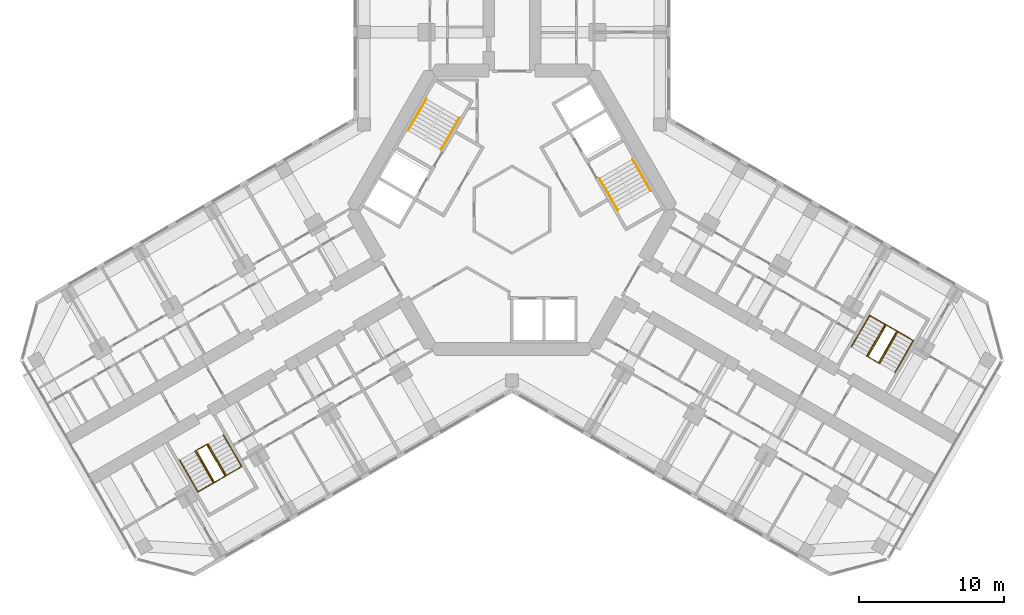
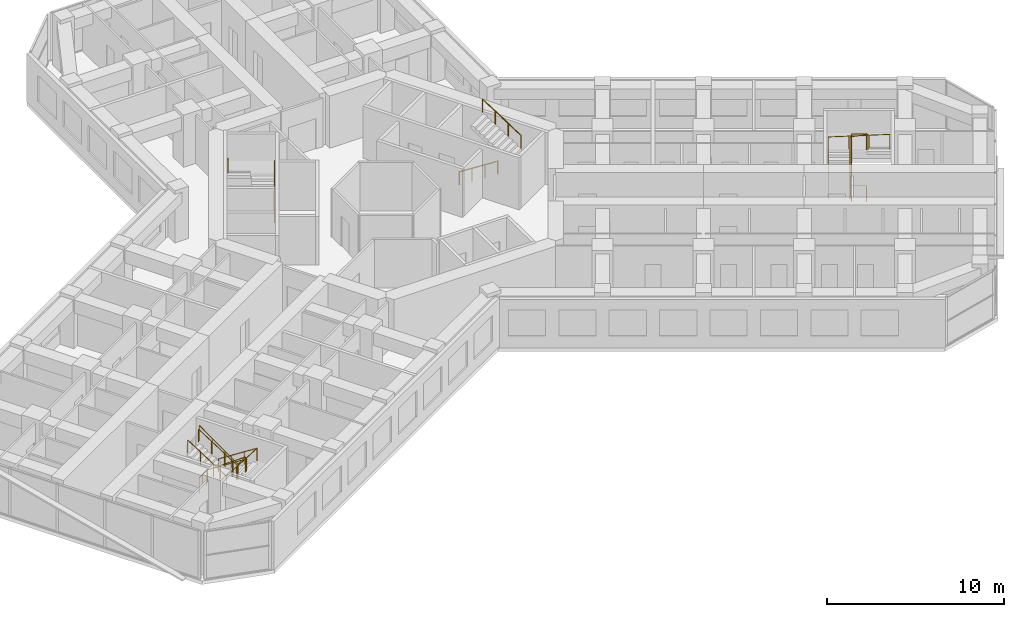
# One storey, part 19 of 19: 10 railings.
"""IFC4 building model written with IfcOpenShell, lengths in metres."""

from ifc_helpers import new_model, si_unit, direction, frame, origin, origin_2d, place, context, subcontext, project, spatial, circle, extrude, material, type_object, element, save


model = new_model("IFC4")

# Units and contexts
model_context = context("Model", 3, precision=1e-05, world=origin(), true_north=direction((0.0, 1.0)))
body_context = subcontext(model_context, "Body", "Model", "MODEL_VIEW")
ifc_project = project(units=[si_unit("LENGTHUNIT", "METRE"), si_unit("AREAUNIT", "SQUARE_METRE"), si_unit("VOLUMEUNIT", "CUBIC_METRE"), si_unit("PLANEANGLEUNIT", "RADIAN"), si_unit("MASSUNIT", "GRAM", prefix="KILO")], contexts=[model_context])

# Site, building, storey
site_placement = place(None, origin())
site = spatial("IfcSite", under=ifc_project, at=site_placement, CompositionType="ELEMENT")
building_placement = place(site_placement, origin())
building = spatial("IfcBuilding", under=site, at=building_placement, Name="Kosmar Iwan School Tower", CompositionType="ELEMENT")
storey_placement = place(building_placement, frame((0.0, 0.0, 134.60009765625)))
storey = spatial("IfcBuildingStorey", under=building, at=storey_placement, Name="L33", CompositionType="ELEMENT", Elevation=134.60009765625)

# Railings
ifc_material_1 = material(Name="Black steel", Category="steel")
railing_type_1 = type_object("IfcRailingType", Name="Stair handrail 900", PredefinedType="HANDRAIL", material=ifc_material_1)
railing_1_placement = place(storey_placement, frame((-4.89453125, 4.142333984375, 0.179931640625)))
element("IfcRailing", 1, at=railing_1_placement, inside=storey, type_object=railing_type_1, Name="Handrail ST2 flight 1", PredefinedType="HANDRAIL", context=body_context, shape_type="SweptSolid", body=[
    extrude(circle(Radius=0.02392578125, at=origin_2d()), frame((0.0, 0.0, 0.8759765625), z_axis=(0.42060268101, 0.72849590497, 0.54072830624), x_axis=(-0.866022637375, 0.500004791531, 0.0)), (0.0, 0.0, 1.0), 2.99560546875),
    extrude(circle(Radius=0.02099609375, at=origin_2d()), origin(), (0.0, 0.0, 1.0), 0.851806640625),
    extrude(circle(Radius=0.02099609375, at=origin_2d()), frame((0.419921875, 0.7275390625, 0.5400390625)), (0.0, 0.0, 1.0), 0.851806640625),
    extrude(circle(Radius=0.02099609375, at=origin_2d()), frame((0.840087890625, 1.454833984375, 1.079833984375)), (0.0, 0.0, 1.0), 0.851806640625),
    extrude(circle(Radius=0.02099609375, at=origin_2d()), frame((1.260009765625, 2.182373046875, 1.619873046875)), (0.0, 0.0, 1.0), 0.851806640625),
])
railing_2_placement = place(storey_placement, frame((-5.912353515625, 7.6396484375, 1.97998046875)))
element("IfcRailing", 2, at=railing_2_placement, inside=storey, type_object=railing_type_1, Name="Handrail ST2 flight 2", PredefinedType="HANDRAIL", context=body_context, shape_type="SweptSolid", body=[
    extrude(circle(Radius=0.02392578125, at=origin_2d()), frame((0.0, 0.0, 0.8759765625), z_axis=(-0.42060268101, -0.72849590497, 0.54072830624), x_axis=(0.866022637375, -0.500004791531, 0.0)), (0.0, 0.0, 1.0), 2.99560546875),
    extrude(circle(Radius=0.02099609375, at=origin_2d()), origin(), (0.0, 0.0, 1.0), 0.851806640625),
    extrude(circle(Radius=0.02099609375, at=origin_2d()), frame((-0.419921875, -0.7275390625, 0.5400390625)), (0.0, 0.0, 1.0), 0.851806640625),
    extrude(circle(Radius=0.02099609375, at=origin_2d()), frame((-0.840087890625, -1.454833984375, 1.079833984375)), (0.0, 0.0, 1.0), 0.851806640625),
    extrude(circle(Radius=0.02099609375, at=origin_2d()), frame((-1.260009765625, -2.182373046875, 1.619873046875)), (0.0, 0.0, 1.0), 0.851806640625),
])
railing_3_placement = place(storey_placement, frame((6.03466796875, 2.167724609375, 0.179931640625)))
element("IfcRailing", 3, at=railing_3_placement, inside=storey, type_object=railing_type_1, Name="Handrail ST1 flight 1", PredefinedType="HANDRAIL", context=body_context, shape_type="SweptSolid", body=[
    extrude(circle(Radius=0.02392578125, at=origin_2d()), frame((0.0, 0.0, 0.8759765625), z_axis=(0.42060268101, -0.72849590497, 0.54072830624), x_axis=(0.866022637375, 0.500004791531, 0.0)), (0.0, 0.0, 1.0), 2.99560546875),
    extrude(circle(Radius=0.02099609375, at=origin_2d()), origin(), (0.0, 0.0, 1.0), 0.851806640625),
    extrude(circle(Radius=0.02099609375, at=origin_2d()), frame((0.419921875, -0.7275390625, 0.5400390625)), (0.0, 0.0, 1.0), 0.851806640625),
    extrude(circle(Radius=0.02099609375, at=origin_2d()), frame((0.840087890625, -1.454833984375, 1.079833984375)), (0.0, 0.0, 1.0), 0.851806640625),
    extrude(circle(Radius=0.02099609375, at=origin_2d()), frame((1.260009765625, -2.182373046875, 1.619873046875)), (0.0, 0.0, 1.0), 0.851806640625),
])
railing_4_placement = place(storey_placement, frame((9.572265625, 1.30029296875, 1.97998046875)))
element("IfcRailing", 4, at=railing_4_placement, inside=storey, type_object=railing_type_1, Name="Handrail ST1 flight 2", PredefinedType="HANDRAIL", context=body_context, shape_type="SweptSolid", body=[
    extrude(circle(Radius=0.02392578125, at=origin_2d()), frame((0.0, 0.0, 0.8759765625), z_axis=(-0.42060268101, 0.72849590497, 0.54072830624), x_axis=(-0.866022637375, -0.500004791531, 0.0)), (0.0, 0.0, 1.0), 2.99560546875),
    extrude(circle(Radius=0.02099609375, at=origin_2d()), origin(), (0.0, 0.0, 1.0), 0.851806640625),
    extrude(circle(Radius=0.02099609375, at=origin_2d()), frame((-0.419921875, 0.7275390625, 0.5400390625)), (0.0, 0.0, 1.0), 0.851806640625),
    extrude(circle(Radius=0.02099609375, at=origin_2d()), frame((-0.840087890625, 1.454833984375, 1.079833984375)), (0.0, 0.0, 1.0), 0.851806640625),
    extrude(circle(Radius=0.02099609375, at=origin_2d()), frame((-1.260009765625, 2.182373046875, 1.619873046875)), (0.0, 0.0, 1.0), 0.851806640625),
])
railing_5_placement = place(storey_placement, frame((-19.9091796875, -15.5361328125, 0.179931640625)))
element("IfcRailing", 5, at=railing_5_placement, inside=storey, type_object=railing_type_1, Name="Handrail stair WS2 L33 wall side", PredefinedType="HANDRAIL", context=body_context, shape_type="SweptSolid", body=[
    extrude(circle(Radius=0.02392578125, at=origin_2d()), frame((0.0, 0.0, 0.8759765625), z_axis=(0.420535598452, -0.728520874915, 0.540746840257), x_axis=(0.866064587494, 0.499932125682, 0.0)), (0.0, 0.0, 1.0), 2.99560546875),
    extrude(circle(Radius=0.02392578125, at=origin_2d()), frame((1.259765625, -2.182373046875, 2.49560546875), z_axis=(-0.864861221286, -0.499341050235, 0.051706706198), x_axis=(0.500009906705, -0.86601968407, 0.0)), (0.0, 0.0, 1.0), 3.484619140625),
    extrude(circle(Radius=0.02392578125, at=origin_2d()), frame((-1.75390625, -3.92236328125, 2.67578125), z_axis=(-0.42060268101, 0.72849590497, 0.54072830624), x_axis=(-0.866022637375, -0.500004791531, 0.0)), (0.0, 0.0, 1.0), 2.99560546875),
    extrude(circle(Radius=0.02099609375, at=origin_2d()), origin(), (0.0, 0.0, 1.0), 0.851806640625),
    extrude(circle(Radius=0.02099609375, at=origin_2d()), frame((0.419921875, -0.7275390625, 0.5400390625)), (0.0, 0.0, 1.0), 0.851806640625),
    extrude(circle(Radius=0.02099609375, at=origin_2d()), frame((0.83984375, -1.454833984375, 1.079833984375)), (0.0, 0.0, 1.0), 0.851806640625),
    extrude(circle(Radius=0.02099609375, at=origin_2d()), frame((1.259765625, -2.182373046875, 1.619873046875)), (0.0, 0.0, 1.0), 0.851806640625),
    extrude(circle(Radius=0.02099609375, at=origin_2d()), frame((0.255126953125, -2.762451171875, 1.679931640625)), (0.0, 0.0, 1.0), 0.851806640625),
    extrude(circle(Radius=0.02099609375, at=origin_2d()), frame((-0.749267578125, -3.34228515625, 1.739990234375)), (0.0, 0.0, 1.0), 0.851806640625),
    extrude(circle(Radius=0.02099609375, at=origin_2d()), frame((-1.75390625, -3.92236328125, 1.800048828125)), (0.0, 0.0, 1.0), 0.851806640625),
    extrude(circle(Radius=0.02099609375, at=origin_2d()), frame((-2.173828125, -3.19482421875, 2.340087890625)), (0.0, 0.0, 1.0), 0.851806640625),
    extrude(circle(Radius=0.02099609375, at=origin_2d()), frame((-2.593994140625, -2.467529296875, 2.8798828125)), (0.0, 0.0, 1.0), 0.851806640625),
    extrude(circle(Radius=0.02099609375, at=origin_2d()), frame((-3.013916015625, -1.739990234375, 3.419921875)), (0.0, 0.0, 1.0), 0.851806640625),
])
railing_6_placement = place(storey_placement, frame((-20.974609375, -16.151123046875, 0.179931640625)))
element("IfcRailing", 6, at=railing_6_placement, inside=storey, type_object=railing_type_1, Name="Handrail stair WS2 L33 well side", PredefinedType="HANDRAIL", context=body_context, shape_type="SweptSolid", body=[
    extrude(circle(Radius=0.02392578125, at=origin_2d()), frame((0.0, 0.0, 0.8759765625), z_axis=(0.42060268101, -0.72849590497, 0.54072830624), x_axis=(0.866022637375, 0.500004791531, 0.0)), (0.0, 0.0, 1.0), 2.99560546875),
    extrude(circle(Radius=0.02392578125, at=origin_2d()), frame((1.260009765625, -2.182373046875, 2.49560546875), z_axis=(-0.852806573049, -0.492402689635, 0.173955569627), x_axis=(0.500026340207, -0.866010195725, 0.0)), (0.0, 0.0, 1.0), 1.03564453125),
    extrude(circle(Radius=0.02392578125, at=origin_2d()), frame((0.376708984375, -2.6923828125, 2.67578125), z_axis=(-0.42060268101, 0.72849590497, 0.54072830624), x_axis=(-0.866022637375, -0.500004791531, 0.0)), (0.0, 0.0, 1.0), 2.99560546875),
    extrude(circle(Radius=0.02099609375, at=origin_2d()), origin(), (0.0, 0.0, 1.0), 0.851806640625),
    extrude(circle(Radius=0.02099609375, at=origin_2d()), frame((0.419921875, -0.7275390625, 0.5400390625)), (0.0, 0.0, 1.0), 0.851806640625),
    extrude(circle(Radius=0.02099609375, at=origin_2d()), frame((0.840087890625, -1.454833984375, 1.079833984375)), (0.0, 0.0, 1.0), 0.851806640625),
    extrude(circle(Radius=0.02099609375, at=origin_2d()), frame((1.260009765625, -2.182373046875, 1.619873046875)), (0.0, 0.0, 1.0), 0.851806640625),
    extrude(circle(Radius=0.02099609375, at=origin_2d()), frame((0.376708984375, -2.6923828125, 1.800048828125)), (0.0, 0.0, 1.0), 0.851806640625),
    extrude(circle(Radius=0.02099609375, at=origin_2d()), frame((-0.043212890625, -1.96484375, 2.340087890625)), (0.0, 0.0, 1.0), 0.851806640625),
    extrude(circle(Radius=0.02099609375, at=origin_2d()), frame((-0.46337890625, -1.237548828125, 2.8798828125)), (0.0, 0.0, 1.0), 0.851806640625),
    extrude(circle(Radius=0.02099609375, at=origin_2d()), frame((-0.88330078125, -0.510009765625, 3.419921875)), (0.0, 0.0, 1.0), 0.851806640625),
])
railing_7_placement = place(storey_placement, frame((23.4091796875, -9.473876953125, 0.179931640625)))
element("IfcRailing", 7, at=railing_7_placement, inside=storey, type_object=railing_type_1, Name="Handrail stair WS3 L33 wall side", PredefinedType="HANDRAIL", context=body_context, shape_type="SweptSolid", body=[
    extrude(circle(Radius=0.02392578125, at=origin_2d()), frame((0.0, 0.0, 0.8759765625), z_axis=(0.42060268101, 0.72849590497, 0.54072830624), x_axis=(-0.866022637375, 0.500004791531, 0.0)), (0.0, 0.0, 1.0), 2.99560546875),
    extrude(circle(Radius=0.02392578125, at=origin_2d()), frame((1.260009765625, 2.182373046875, 2.49560546875), z_axis=(0.864878876685, -0.499310794179, 0.051703573187), x_axis=(0.499979528911, 0.866037222451, 0.0)), (0.0, 0.0, 1.0), 3.48486328125),
    extrude(circle(Radius=0.02392578125, at=origin_2d()), frame((4.27392578125, 0.4423828125, 2.67578125), z_axis=(-0.42060268101, -0.72849590497, 0.54072830624), x_axis=(0.866022637375, -0.500004791531, 0.0)), (0.0, 0.0, 1.0), 2.99560546875),
    extrude(circle(Radius=0.02099609375, at=origin_2d()), origin(), (0.0, 0.0, 1.0), 0.851806640625),
    extrude(circle(Radius=0.02099609375, at=origin_2d()), frame((0.419921875, 0.7275390625, 0.5400390625)), (0.0, 0.0, 1.0), 0.851806640625),
    extrude(circle(Radius=0.02099609375, at=origin_2d()), frame((0.840087890625, 1.454833984375, 1.079833984375)), (0.0, 0.0, 1.0), 0.851806640625),
    extrude(circle(Radius=0.02099609375, at=origin_2d()), frame((1.260009765625, 2.182373046875, 1.619873046875)), (0.0, 0.0, 1.0), 0.851806640625),
    extrude(circle(Radius=0.02099609375, at=origin_2d()), frame((2.2646484375, 1.602294921875, 1.679931640625)), (0.0, 0.0, 1.0), 0.851806640625),
    extrude(circle(Radius=0.02099609375, at=origin_2d()), frame((3.269287109375, 1.0224609375, 1.739990234375)), (0.0, 0.0, 1.0), 0.851806640625),
    extrude(circle(Radius=0.02099609375, at=origin_2d()), frame((4.27392578125, 0.4423828125, 1.800048828125)), (0.0, 0.0, 1.0), 0.851806640625),
    extrude(circle(Radius=0.02099609375, at=origin_2d()), frame((3.85400390625, -0.28515625, 2.340087890625)), (0.0, 0.0, 1.0), 0.851806640625),
    extrude(circle(Radius=0.02099609375, at=origin_2d()), frame((3.433837890625, -1.012451171875, 2.8798828125)), (0.0, 0.0, 1.0), 0.851806640625),
    extrude(circle(Radius=0.02099609375, at=origin_2d()), frame((3.013916015625, -1.739990234375, 3.419921875)), (0.0, 0.0, 1.0), 0.851806640625),
])
railing_8_placement = place(storey_placement, frame((24.474609375, -10.0888671875, 0.179931640625)))
element("IfcRailing", 8, at=railing_8_placement, inside=storey, type_object=railing_type_1, Name="Handrail stair WS3 L33 well side", PredefinedType="HANDRAIL", context=body_context, shape_type="SweptSolid", body=[
    extrude(circle(Radius=0.02392578125, at=origin_2d()), frame((0.0, 0.0, 0.8759765625), z_axis=(0.42060268101, 0.72849590497, 0.54072830624), x_axis=(-0.866022637375, 0.500004791531, 0.0)), (0.0, 0.0, 1.0), 2.99560546875),
    extrude(circle(Radius=0.02392578125, at=origin_2d()), frame((1.260009765625, 2.182373046875, 2.49560546875), z_axis=(0.852806573049, -0.492402689635, 0.173955569627), x_axis=(0.500026340207, 0.866010195725, 0.0)), (0.0, 0.0, 1.0), 1.03564453125),
    extrude(circle(Radius=0.02392578125, at=origin_2d()), frame((2.143310546875, 1.67236328125, 2.67578125), z_axis=(-0.42060268101, -0.72849590497, 0.54072830624), x_axis=(0.866022637375, -0.500004791531, 0.0)), (0.0, 0.0, 1.0), 2.99560546875),
    extrude(circle(Radius=0.02099609375, at=origin_2d()), origin(), (0.0, 0.0, 1.0), 0.851806640625),
    extrude(circle(Radius=0.02099609375, at=origin_2d()), frame((0.419921875, 0.7275390625, 0.5400390625)), (0.0, 0.0, 1.0), 0.851806640625),
    extrude(circle(Radius=0.02099609375, at=origin_2d()), frame((0.840087890625, 1.454833984375, 1.079833984375)), (0.0, 0.0, 1.0), 0.851806640625),
    extrude(circle(Radius=0.02099609375, at=origin_2d()), frame((1.260009765625, 2.182373046875, 1.619873046875)), (0.0, 0.0, 1.0), 0.851806640625),
    extrude(circle(Radius=0.02099609375, at=origin_2d()), frame((2.143310546875, 1.67236328125, 1.800048828125)), (0.0, 0.0, 1.0), 0.851806640625),
    extrude(circle(Radius=0.02099609375, at=origin_2d()), frame((1.723388671875, 0.94482421875, 2.340087890625)), (0.0, 0.0, 1.0), 0.851806640625),
    extrude(circle(Radius=0.02099609375, at=origin_2d()), frame((1.30322265625, 0.217529296875, 2.8798828125)), (0.0, 0.0, 1.0), 0.851806640625),
    extrude(circle(Radius=0.02099609375, at=origin_2d()), frame((0.88330078125, -0.510009765625, 3.419921875)), (0.0, 0.0, 1.0), 0.851806640625),
])
ifc_material_2 = material(Name="Black steel", Category="steel")
railing_type_2 = type_object("IfcRailingType", Name="Stair well guard 1100", PredefinedType="GUARDRAIL", material=ifc_material_2)
railing_9_placement = place(storey_placement, frame((-21.780029296875, -16.6162109375, 0.0)))
element("IfcRailing", 9, at=railing_9_placement, inside=storey, type_object=railing_type_2, Name="Stair WS2 L33 well guard", PredefinedType="GUARDRAIL", context=body_context, shape_type="SweptSolid", body=[
    extrude(circle(Radius=0.02392578125, at=origin_2d()), frame((0.0, 0.0, 1.076171875), z_axis=(0.865962960534, 0.500108139288, 0.0), x_axis=(-0.500108139288, 0.865962960534, 0.0)), (0.0, 0.0, 1.0), 0.840087890625),
    extrude(circle(Radius=0.02392578125, at=origin_2d()), frame((0.7275390625, 0.420166015625, 1.076171875), z_axis=(0.406885297737, -0.704737003773, 0.581197135229), x_axis=(0.866022637375, 0.500004791531, 0.0)), (0.0, 0.0, 1.0), 3.0966796875),
    extrude(circle(Radius=0.02392578125, at=origin_2d()), frame((1.987548828125, -1.76220703125, 2.8759765625), z_axis=(-0.865962960534, -0.500108139288, 0.0), x_axis=(0.500108139288, -0.865962960534, 0.0)), (0.0, 0.0, 1.0), 0.840087890625),
    extrude(circle(Radius=0.02392578125, at=origin_2d()), frame((1.260009765625, -2.182373046875, 2.8759765625), z_axis=(-0.40686665399, 0.704704712268, 0.58124933925), x_axis=(-0.866022637375, -0.500004791531, 0.0)), (0.0, 0.0, 1.0), 3.096923828125),
    extrude(circle(Radius=0.02099609375, at=origin_2d()), origin(), (0.0, 0.0, 1.0), 1.052001953125),
    extrude(circle(Radius=0.02099609375, at=origin_2d()), frame((0.7275390625, 0.420166015625, 0.0)), (0.0, 0.0, 1.0), 1.052001953125),
    extrude(circle(Radius=0.02099609375, at=origin_2d()), frame((1.1474609375, -0.307373046875, 0.599853515625)), (0.0, 0.0, 1.0), 1.052001953125),
    extrude(circle(Radius=0.02099609375, at=origin_2d()), frame((1.567626953125, -1.03466796875, 1.199951171875)), (0.0, 0.0, 1.0), 1.052001953125),
    extrude(circle(Radius=0.02099609375, at=origin_2d()), frame((1.987548828125, -1.76220703125, 1.7998046875)), (0.0, 0.0, 1.0), 1.052001953125),
    extrude(circle(Radius=0.02099609375, at=origin_2d()), frame((1.260009765625, -2.182373046875, 1.7998046875)), (0.0, 0.0, 1.0), 1.052001953125),
    extrude(circle(Radius=0.02099609375, at=origin_2d()), frame((0.840087890625, -1.454833984375, 2.39990234375)), (0.0, 0.0, 1.0), 1.052001953125),
    extrude(circle(Radius=0.02099609375, at=origin_2d()), frame((0.419921875, -0.7275390625, 2.999755859375)), (0.0, 0.0, 1.0), 1.052001953125),
    extrude(circle(Radius=0.02099609375, at=origin_2d()), frame((0.0, 0.0, 3.599853515625)), (0.0, 0.0, 1.0), 1.052001953125),
])
railing_10_placement = place(storey_placement, frame((25.280029296875, -10.553955078125, 0.0)))
element("IfcRailing", 10, at=railing_10_placement, inside=storey, type_object=railing_type_2, Name="Stair WS3 L33 well guard", PredefinedType="GUARDRAIL", context=body_context, shape_type="SweptSolid", body=[
    extrude(circle(Radius=0.02392578125, at=origin_2d()), frame((0.0, 0.0, 1.076171875), z_axis=(-0.865962960534, 0.500108139288, 0.0), x_axis=(-0.500108139288, -0.865962960534, 0.0)), (0.0, 0.0, 1.0), 0.840087890625),
    extrude(circle(Radius=0.02392578125, at=origin_2d()), frame((-0.7275390625, 0.420166015625, 1.076171875), z_axis=(0.406885297737, 0.704737003773, 0.581197135229), x_axis=(-0.866022637375, 0.500004791531, 0.0)), (0.0, 0.0, 1.0), 3.0966796875),
    extrude(circle(Radius=0.02392578125, at=origin_2d()), frame((0.532470703125, 2.6025390625, 2.8759765625), z_axis=(0.865890253765, -0.500234013672, 0.0), x_axis=(0.500234013672, 0.865890253765, 0.0)), (0.0, 0.0, 1.0), 0.83984375),
    extrude(circle(Radius=0.02392578125, at=origin_2d()), frame((1.259765625, 2.182373046875, 2.8759765625), z_axis=(-0.406800866334, -0.70472731476, 0.58126798207), x_axis=(0.866064587494, -0.499932125682, 0.0)), (0.0, 0.0, 1.0), 3.0966796875),
    extrude(circle(Radius=0.02099609375, at=origin_2d()), origin(), (0.0, 0.0, 1.0), 1.052001953125),
    extrude(circle(Radius=0.02099609375, at=origin_2d()), frame((-0.7275390625, 0.420166015625, 0.0)), (0.0, 0.0, 1.0), 1.052001953125),
    extrude(circle(Radius=0.02099609375, at=origin_2d()), frame((-0.3076171875, 1.147705078125, 0.599853515625)), (0.0, 0.0, 1.0), 1.052001953125),
    extrude(circle(Radius=0.02099609375, at=origin_2d()), frame((0.112548828125, 1.875, 1.199951171875)), (0.0, 0.0, 1.0), 1.052001953125),
    extrude(circle(Radius=0.02099609375, at=origin_2d()), frame((0.532470703125, 2.6025390625, 1.7998046875)), (0.0, 0.0, 1.0), 1.052001953125),
    extrude(circle(Radius=0.02099609375, at=origin_2d()), frame((1.259765625, 2.182373046875, 1.7998046875)), (0.0, 0.0, 1.0), 1.052001953125),
    extrude(circle(Radius=0.02099609375, at=origin_2d()), frame((0.83984375, 1.454833984375, 2.39990234375)), (0.0, 0.0, 1.0), 1.052001953125),
    extrude(circle(Radius=0.02099609375, at=origin_2d()), frame((0.419921875, 0.7275390625, 2.999755859375)), (0.0, 0.0, 1.0), 1.052001953125),
    extrude(circle(Radius=0.02099609375, at=origin_2d()), frame((0.0, 0.0, 3.599853515625)), (0.0, 0.0, 1.0), 1.052001953125),
])

save(model, "model.ifc")
